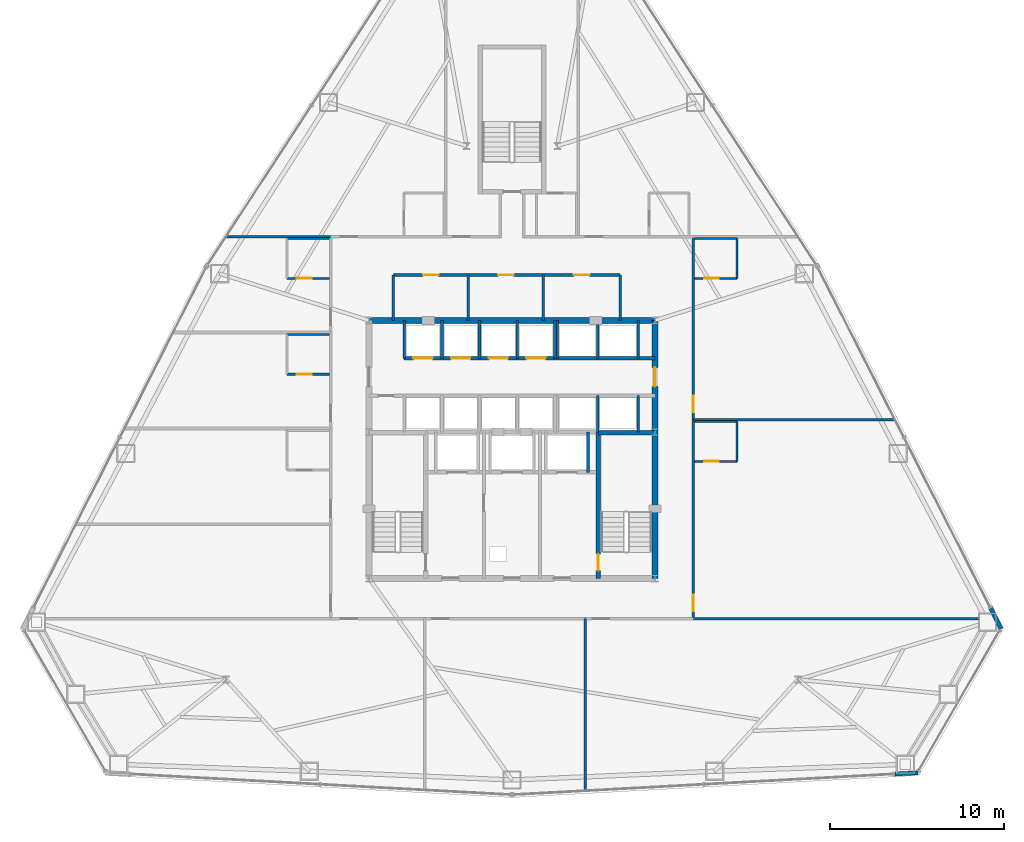
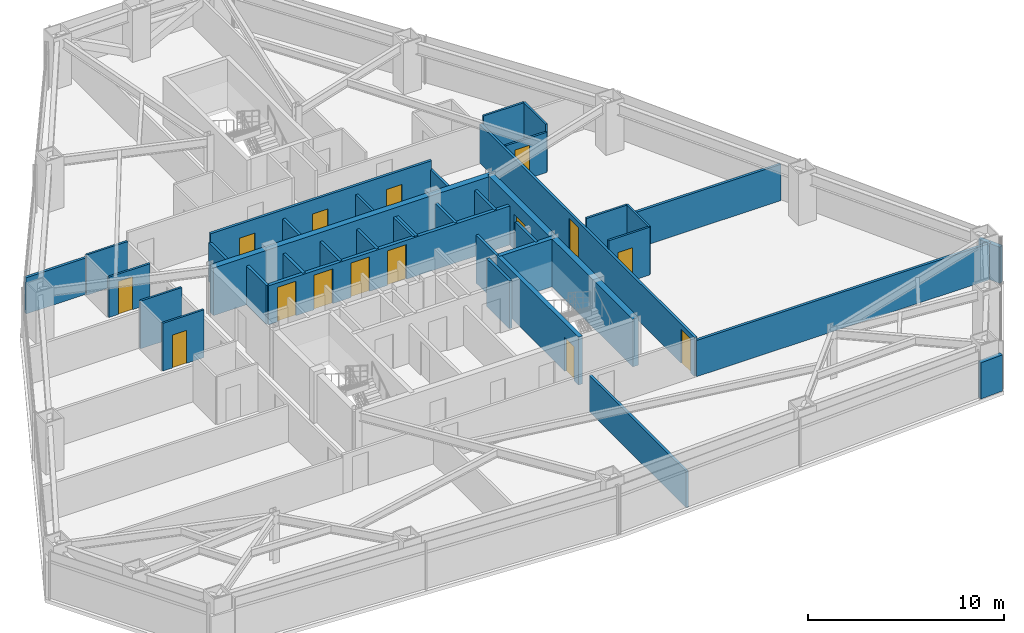
# One storey, part 10 of 12: 38 walls, 15 doors, 15 openings.
"""IFC4 building model written with IfcOpenShell, lengths in metres."""

from ifc_helpers import new_model, si_unit, direction, frame, frame_2d, origin, place, context, subcontext, project, spatial, rectangle, extrude, material, layer, layer_set, type_object, element, fill, save


model = new_model("IFC4")

# Units and contexts
model_context = context("Model", 3, precision=1e-05, world=origin(), true_north=direction((0.0, 1.0)))
body_context = subcontext(model_context, "Body", "Model", "MODEL_VIEW")
ifc_project = project(units=[si_unit("LENGTHUNIT", "METRE"), si_unit("AREAUNIT", "SQUARE_METRE"), si_unit("VOLUMEUNIT", "CUBIC_METRE"), si_unit("PLANEANGLEUNIT", "RADIAN"), si_unit("MASSUNIT", "GRAM", prefix="KILO")], contexts=[model_context])

# Site, building, storey
site_placement = place(None, origin())
site = spatial("IfcSite", under=ifc_project, at=site_placement, CompositionType="ELEMENT")
building_placement = place(site_placement, origin())
building = spatial("IfcBuilding", under=site, at=building_placement, Name="Varakhsha Concourse Tower", CompositionType="ELEMENT")
storey_placement = place(building_placement, frame((0.0, 0.0, 76.60009765625)))
storey = spatial("IfcBuildingStorey", under=building, at=storey_placement, Name="L21", CompositionType="ELEMENT", Elevation=76.60009765625)

# Wall
ifc_material_1 = material(Name="Concrete fc 65 MPa", Category="concrete")
ifc_layer_1 = layer(ifc_material_1, 0.35009765625, Name="WL-CORE-350")
ifc_layer_set_1 = layer_set([ifc_layer_1], Name="Concrete fc 65 MPa")
wall_type_1 = type_object("IfcWallType", Name="WL-CORE-350", PredefinedType="SHEAR", material=ifc_layer_set_1)
wall_1_placement = place(storey_placement, frame((31.800048828125, 31.199951171875, 0.0), z_axis=(0.0, 0.0, 1.0), x_axis=(1.0, 0.0, 0.0)))
element("IfcWall", 1, at=wall_1_placement, inside=storey, type_object=wall_type_1, Name="L21 Wall CWALL-N-L21", PredefinedType="SHEAR", context=body_context, shape_type="SweptSolid", body=[
    extrude(rectangle(XDim=16.39990234375, YDim=0.35009765625, at=frame_2d((8.199951171875, 0.0))), origin(), (0.0, 0.0, 1.0), 2.969970703125),
])

# Wall, opening, door
wall_2_placement = place(storey_placement, frame((48.199951171875, 16.39990234375, 0.0), z_axis=(0.0, 0.0, 1.0), x_axis=(0.0, 1.0, 0.0)))
wall_2 = element("IfcWall", 2, at=wall_2_placement, inside=storey, type_object=wall_type_1, Name="L21 Wall CWALL-E-L21", PredefinedType="SHEAR", context=body_context, shape_type="SweptSolid", body=[
    extrude(rectangle(XDim=14.800048828125, YDim=0.35009765625, at=frame_2d((7.39990234375, 0.0))), origin(), (0.0, 0.0, 1.0), 2.969970703125),
])
opening_1_placement = place(wall_2_placement, frame((11.0, 0.0, 0.0)))
opening_1 = element("IfcOpeningElement", 3, at=opening_1_placement, cuts=wall_2, Name="Opening DL-01", PredefinedType="OPENING", context=body_context, shape_type="SweptSolid", body=[
    extrude(rectangle(XDim=1.10009765625, YDim=2.14990234375, at=frame_2d((0.550048828125, 1.074951171875))), frame((0.0, 0.18505859375, 0.0), z_axis=(0.0, -1.0, 0.0), x_axis=(1.0, 0.0, 0.0)), (0.0, 0.0, 1.0), 0.3701171875),
])
ifc_material_2 = material(Name="Anodised Bronze Architectural Aluminium AA 6063-T6", Category="aluminium")
door_type_1 = type_object("IfcDoorType", Name="DR-LOB-1100", OperationType="NOTDEFINED", PredefinedType="DOOR", material=ifc_material_2)
door_1_placement = place(opening_1_placement, origin())
door_1 = element("IfcDoor", 4, at=door_1_placement, inside=storey, type_object=door_type_1, Name="L21 Lift Lobby East Concourse Door", OperationType="SINGLE_SWING_RIGHT", OverallHeight=2.14990234375, OverallWidth=1.10009765625, PredefinedType="DOOR", context=body_context, shape_type="SweptSolid", body=[
    extrude(rectangle(XDim=1.10009765625, YDim=2.14990234375, at=frame_2d((0.550048828125, 1.074951171875))), frame((0.0, 0.02490234375, 0.0), z_axis=(0.0, -1.0, 0.0), x_axis=(1.0, 0.0, 0.0)), (0.0, 0.0, 1.0), 0.050048828125),
])
fill(opening_1, door_1)

# Walls
ifc_material_3 = material(Name="Concrete fc 45 MPa", Category="concrete")
ifc_layer_2 = layer(ifc_material_3, 0.239990234375, Name="WL-EXT-CRN-240")
ifc_layer_set_2 = layer_set([ifc_layer_2], Name="Concrete fc 45 MPa")
wall_type_2 = type_object("IfcWallType", Name="WL-EXT-CRN-240", PredefinedType="SHEAR", material=ifc_layer_set_2)
wall_3_placement = place(storey_placement, frame((61.9501953125, 5.184814453125, 0.0), z_axis=(0.0, 0.0, 1.0), x_axis=(0.998531751411, 0.054169561778, 0.0)))
element("IfcWall", 5, at=wall_3_placement, inside=storey, type_object=wall_type_2, Name="L21 Wind-Corner Shoulder Wall F6", PredefinedType="SHEAR", context=body_context, shape_type="SweptSolid", body=[
    extrude(rectangle(XDim=1.320556640625, YDim=0.239990234375, at=frame_2d((0.66015625, 0.0))), origin(), (0.0, 0.0, 1.0), 2.2529296875),
])
wall_4_placement = place(storey_placement, frame((68.03955078125, 13.521484375, 0.0), z_axis=(0.0, 0.0, 1.0), x_axis=(-0.452239623624, 0.891896475396, 0.0)))
element("IfcWall", 6, at=wall_4_placement, inside=storey, type_object=wall_type_2, Name="L21 Wind-Corner Shoulder Wall F8", PredefinedType="SHEAR", context=body_context, shape_type="SweptSolid", body=[
    extrude(rectangle(XDim=1.3193359375, YDim=0.239990234375, at=frame_2d((0.65966796875, 0.0))), origin(), (0.0, 0.0, 1.0), 2.2529296875),
])

# Wall, opening, door
ifc_material_4 = material(Name="Acoustic Gypsum Board Partition Assembly", Category="gypsum")
ifc_layer_3 = layer(ifc_material_4, 0.1201171875, Name="WL-PART-120")
ifc_layer_set_3 = layer_set([ifc_layer_3], Name="Acoustic Gypsum Board Partition Assembly")
wall_type_3 = type_object("IfcWallType", Name="WL-PART-120", PredefinedType="PARTITIONING", material=ifc_layer_set_3)
wall_5_placement = place(storey_placement, frame((27.110107421875, 28.110107421875, 0.0), z_axis=(0.0, 0.0, 1.0), x_axis=(1.0, 0.0, 0.0)))
wall_5 = element("IfcWall", 7, at=wall_5_placement, inside=storey, type_object=wall_type_3, Name="L21 Wall ENSW-S-L21-H06", PredefinedType="PARTITIONING", context=body_context, shape_type="SweptSolid", body=[
    extrude(rectangle(XDim=2.429931640625, YDim=0.1201171875, at=frame_2d((1.21484375, 0.0))), origin(), (0.0, 0.0, 1.0), 2.969970703125),
])
opening_2_placement = place(wall_5_placement, frame((0.550048828125, 0.0, 0.0)))
opening_2 = element("IfcOpeningElement", 8, at=opening_2_placement, cuts=wall_5, Name="Opening DI-01", PredefinedType="OPENING", context=body_context, shape_type="SweptSolid", body=[
    extrude(rectangle(XDim=0.85009765625, YDim=2.050048828125, at=frame_2d((0.425048828125, 1.02490234375))), frame((0.0, 0.070068359375, 0.0), z_axis=(0.0, -1.0, 0.0), x_axis=(1.0, 0.0, 0.0)), (0.0, 0.0, 1.0), 0.14013671875),
])
ifc_material_5 = material(Name="Architectural Walnut Acoustic Timber Door", Category="wood")
door_type_2 = type_object("IfcDoorType", Name="DR-INT-850", OperationType="NOTDEFINED", PredefinedType="DOOR", material=ifc_material_5)
door_2_placement = place(opening_2_placement, origin())
door_2 = element("IfcDoor", 9, at=door_2_placement, inside=storey, type_object=door_type_2, Name="L21 En-suite Bathroom Door L21-H06", OperationType="SINGLE_SWING_RIGHT", OverallHeight=2.050048828125, OverallWidth=0.85009765625, PredefinedType="DOOR", context=body_context, shape_type="SweptSolid", body=[
    extrude(rectangle(XDim=0.85009765625, YDim=2.050048828125, at=frame_2d((0.425048828125, 1.02490234375))), frame((0.0, 0.02490234375, 0.0), z_axis=(0.0, -1.0, 0.0), x_axis=(1.0, 0.0, 0.0)), (0.0, 0.0, 1.0), 0.050048828125),
])
fill(opening_2, door_2)

# Wall
wall_6_placement = place(storey_placement, frame((27.110107421875, 30.389892578125, 0.0), z_axis=(0.0, 0.0, 1.0), x_axis=(1.0, 0.0, 0.0)))
element("IfcWall", 10, at=wall_6_placement, inside=storey, type_object=wall_type_3, Name="L21 Wall ENSW-N-L21-H06", PredefinedType="PARTITIONING", context=body_context, shape_type="SweptSolid", body=[
    extrude(rectangle(XDim=2.429931640625, YDim=0.1201171875, at=frame_2d((1.21484375, 0.0))), origin(), (0.0, 0.0, 1.0), 2.969970703125),
])

# Wall, opening, door
wall_7_placement = place(storey_placement, frame((27.110107421875, 33.610107421875, 0.0), z_axis=(0.0, 0.0, 1.0), x_axis=(1.0, 0.0, 0.0)))
wall_7 = element("IfcWall", 11, at=wall_7_placement, inside=storey, type_object=wall_type_3, Name="L21 Wall ENSW-S-L21-H07", PredefinedType="PARTITIONING", context=body_context, shape_type="SweptSolid", body=[
    extrude(rectangle(XDim=2.429931640625, YDim=0.1201171875, at=frame_2d((1.21484375, 0.0))), origin(), (0.0, 0.0, 1.0), 2.5029296875),
])
opening_3_placement = place(wall_7_placement, frame((0.550048828125, 0.0, 0.0)))
opening_3 = element("IfcOpeningElement", 12, at=opening_3_placement, cuts=wall_7, Name="Opening DI-01", PredefinedType="OPENING", context=body_context, shape_type="SweptSolid", body=[
    extrude(rectangle(XDim=0.85009765625, YDim=2.050048828125, at=frame_2d((0.425048828125, 1.02490234375))), frame((0.0, 0.070068359375, 0.0), z_axis=(0.0, -1.0, 0.0), x_axis=(1.0, 0.0, 0.0)), (0.0, 0.0, 1.0), 0.14013671875),
])
door_3_placement = place(opening_3_placement, origin())
door_3 = element("IfcDoor", 13, at=door_3_placement, inside=storey, type_object=door_type_2, Name="L21 En-suite Bathroom Door L21-H07", OperationType="SINGLE_SWING_RIGHT", OverallHeight=2.050048828125, OverallWidth=0.85009765625, PredefinedType="DOOR", context=body_context, shape_type="SweptSolid", body=[
    extrude(rectangle(XDim=0.85009765625, YDim=2.050048828125, at=frame_2d((0.425048828125, 1.02490234375))), frame((0.0, 0.02490234375, 0.0), z_axis=(0.0, -1.0, 0.0), x_axis=(1.0, 0.0, 0.0)), (0.0, 0.0, 1.0), 0.050048828125),
])
fill(opening_3, door_3)

# Walls
wall_8_placement = place(storey_placement, frame((27.110107421875, 35.889892578125, 0.0), z_axis=(0.0, 0.0, 1.0), x_axis=(1.0, 0.0, 0.0)))
element("IfcWall", 14, at=wall_8_placement, inside=storey, type_object=wall_type_3, Name="L21 Wall ENSW-N-L21-H07", PredefinedType="PARTITIONING", context=body_context, shape_type="SweptSolid", body=[
    extrude(rectangle(XDim=2.429931640625, YDim=0.1201171875, at=frame_2d((1.21484375, 0.0))), origin(), (0.0, 0.0, 1.0), 2.5029296875),
])
wall_9_placement = place(storey_placement, frame((52.889892578125, 23.110107421875, 0.0), z_axis=(0.0, 0.0, 1.0), x_axis=(0.0, 1.0, 0.0)))
element("IfcWall", 15, at=wall_9_placement, inside=storey, type_object=wall_type_3, Name="L21 Wall ENSW-E-L21-H08", PredefinedType="PARTITIONING", context=body_context, shape_type="SweptSolid", body=[
    extrude(rectangle(XDim=2.27978515625, YDim=0.1201171875, at=frame_2d((1.139892578125, 0.0))), origin(), (0.0, 0.0, 1.0), 2.969970703125),
])

# Wall, opening, door
wall_10_placement = place(storey_placement, frame((50.4599609375, 23.110107421875, 0.0), z_axis=(0.0, 0.0, 1.0), x_axis=(1.0, 0.0, 0.0)))
wall_10 = element("IfcWall", 16, at=wall_10_placement, inside=storey, type_object=wall_type_3, Name="L21 Wall ENSW-S-L21-H08", PredefinedType="PARTITIONING", context=body_context, shape_type="SweptSolid", body=[
    extrude(rectangle(XDim=2.429931640625, YDim=0.1201171875, at=frame_2d((1.21484375, 0.0))), origin(), (0.0, 0.0, 1.0), 2.969970703125),
])
opening_4_placement = place(wall_10_placement, frame((0.550048828125, 0.0, 0.0)))
opening_4 = element("IfcOpeningElement", 17, at=opening_4_placement, cuts=wall_10, Name="Opening DI-01", PredefinedType="OPENING", context=body_context, shape_type="SweptSolid", body=[
    extrude(rectangle(XDim=0.85009765625, YDim=2.050048828125, at=frame_2d((0.425048828125, 1.02490234375))), frame((0.0, 0.070068359375, 0.0), z_axis=(0.0, -1.0, 0.0), x_axis=(1.0, 0.0, 0.0)), (0.0, 0.0, 1.0), 0.14013671875),
])
door_4_placement = place(opening_4_placement, origin())
door_4 = element("IfcDoor", 18, at=door_4_placement, inside=storey, type_object=door_type_2, Name="L21 En-suite Bathroom Door L21-H08", OperationType="SINGLE_SWING_RIGHT", OverallHeight=2.050048828125, OverallWidth=0.85009765625, PredefinedType="DOOR", context=body_context, shape_type="SweptSolid", body=[
    extrude(rectangle(XDim=0.85009765625, YDim=2.050048828125, at=frame_2d((0.425048828125, 1.02490234375))), frame((0.0, 0.02490234375, 0.0), z_axis=(0.0, -1.0, 0.0), x_axis=(1.0, 0.0, 0.0)), (0.0, 0.0, 1.0), 0.050048828125),
])
fill(opening_4, door_4)

# Walls
wall_11_placement = place(storey_placement, frame((50.4599609375, 25.389892578125, 0.0), z_axis=(0.0, 0.0, 1.0), x_axis=(1.0, 0.0, 0.0)))
element("IfcWall", 19, at=wall_11_placement, inside=storey, type_object=wall_type_3, Name="L21 Wall ENSW-N-L21-H08", PredefinedType="PARTITIONING", context=body_context, shape_type="SweptSolid", body=[
    extrude(rectangle(XDim=2.429931640625, YDim=0.1201171875, at=frame_2d((1.21484375, 0.0))), origin(), (0.0, 0.0, 1.0), 2.969970703125),
])
wall_12_placement = place(storey_placement, frame((52.889892578125, 33.610107421875, 0.0), z_axis=(0.0, 0.0, 1.0), x_axis=(0.0, 1.0, 0.0)))
element("IfcWall", 20, at=wall_12_placement, inside=storey, type_object=wall_type_3, Name="L21 Wall ENSW-E-L21-H09", PredefinedType="PARTITIONING", context=body_context, shape_type="SweptSolid", body=[
    extrude(rectangle(XDim=2.27978515625, YDim=0.1201171875, at=frame_2d((1.139892578125, 0.0))), origin(), (0.0, 0.0, 1.0), 2.969970703125),
])

# Wall, opening, door
wall_13_placement = place(storey_placement, frame((50.4599609375, 33.610107421875, 0.0), z_axis=(0.0, 0.0, 1.0), x_axis=(1.0, 0.0, 0.0)))
wall_13 = element("IfcWall", 21, at=wall_13_placement, inside=storey, type_object=wall_type_3, Name="L21 Wall ENSW-S-L21-H09", PredefinedType="PARTITIONING", context=body_context, shape_type="SweptSolid", body=[
    extrude(rectangle(XDim=2.429931640625, YDim=0.1201171875, at=frame_2d((1.21484375, 0.0))), origin(), (0.0, 0.0, 1.0), 2.5029296875),
])
opening_5_placement = place(wall_13_placement, frame((0.550048828125, 0.0, 0.0)))
opening_5 = element("IfcOpeningElement", 22, at=opening_5_placement, cuts=wall_13, Name="Opening DI-01", PredefinedType="OPENING", context=body_context, shape_type="SweptSolid", body=[
    extrude(rectangle(XDim=0.85009765625, YDim=2.050048828125, at=frame_2d((0.425048828125, 1.02490234375))), frame((0.0, 0.070068359375, 0.0), z_axis=(0.0, -1.0, 0.0), x_axis=(1.0, 0.0, 0.0)), (0.0, 0.0, 1.0), 0.14013671875),
])
door_5_placement = place(opening_5_placement, origin())
door_5 = element("IfcDoor", 23, at=door_5_placement, inside=storey, type_object=door_type_2, Name="L21 En-suite Bathroom Door L21-H09", OperationType="SINGLE_SWING_RIGHT", OverallHeight=2.050048828125, OverallWidth=0.85009765625, PredefinedType="DOOR", context=body_context, shape_type="SweptSolid", body=[
    extrude(rectangle(XDim=0.85009765625, YDim=2.050048828125, at=frame_2d((0.425048828125, 1.02490234375))), frame((0.0, 0.02490234375, 0.0), z_axis=(0.0, -1.0, 0.0), x_axis=(1.0, 0.0, 0.0)), (0.0, 0.0, 1.0), 0.050048828125),
])
fill(opening_5, door_5)

# Wall
wall_14_placement = place(storey_placement, frame((50.4599609375, 35.889892578125, 0.0), z_axis=(0.0, 0.0, 1.0), x_axis=(1.0, 0.0, 0.0)))
element("IfcWall", 24, at=wall_14_placement, inside=storey, type_object=wall_type_3, Name="L21 Wall ENSW-N-L21-H09", PredefinedType="PARTITIONING", context=body_context, shape_type="SweptSolid", body=[
    extrude(rectangle(XDim=2.429931640625, YDim=0.1201171875, at=frame_2d((1.21484375, 0.0))), origin(), (0.0, 0.0, 1.0), 2.969970703125),
])

# Wall, openings, doors
ifc_material_6 = material(Name="Fire-Rated Type X Gypsum Partition Assembly", Category="gypsum")
ifc_layer_4 = layer(ifc_material_6, 0.14990234375, Name="WL-PART-150")
ifc_layer_set_4 = layer_set([ifc_layer_4], Name="Fire-Rated Type X Gypsum Partition Assembly")
wall_type_4 = type_object("IfcWallType", Name="WL-PART-150", PredefinedType="PARTITIONING", material=ifc_layer_set_4)
wall_15_placement = place(storey_placement, frame((33.199951171875, 33.800048828125, 0.0), z_axis=(0.0, 0.0, 1.0), x_axis=(1.0, 0.0, 0.0)))
wall_15 = element("IfcWall", 25, at=wall_15_placement, inside=storey, type_object=wall_type_4, Name="L21 Wall NBOH-N-L21", PredefinedType="PARTITIONING", context=body_context, shape_type="SweptSolid", body=[
    extrude(rectangle(XDim=13.0, YDim=0.14990234375, at=frame_2d((6.5, 0.0))), origin(), (0.0, 0.0, 1.0), 2.969970703125),
])
opening_6_placement = place(wall_15_placement, frame((1.699951171875, 0.0, 0.0)))
opening_6 = element("IfcOpeningElement", 26, at=opening_6_placement, cuts=wall_15, Name="Opening DF-06", PredefinedType="OPENING", context=body_context, shape_type="SweptSolid", body=[
    extrude(rectangle(XDim=0.89990234375, YDim=2.10009765625, at=frame_2d((0.449951171875, 1.050048828125))), frame((0.0, 0.0849609375, 0.0), z_axis=(0.0, -1.0, 0.0), x_axis=(1.0, 0.0, 0.0)), (0.0, 0.0, 1.0), 0.169921875),
])
opening_7_placement = place(wall_15_placement, frame((6.0, 0.0, 0.0)))
opening_7 = element("IfcOpeningElement", 27, at=opening_7_placement, cuts=wall_15, Name="Opening DF-06", PredefinedType="OPENING", context=body_context, shape_type="SweptSolid", body=[
    extrude(rectangle(XDim=0.89990234375, YDim=2.10009765625, at=frame_2d((0.449951171875, 1.050048828125))), frame((0.0, 0.0849609375, 0.0), z_axis=(0.0, -1.0, 0.0), x_axis=(1.0, 0.0, 0.0)), (0.0, 0.0, 1.0), 0.169921875),
])
opening_8_placement = place(wall_15_placement, frame((10.35009765625, 0.0, 0.0)))
opening_8 = element("IfcOpeningElement", 28, at=opening_8_placement, cuts=wall_15, Name="Opening DF-06", PredefinedType="OPENING", context=body_context, shape_type="SweptSolid", body=[
    extrude(rectangle(XDim=0.89990234375, YDim=2.10009765625, at=frame_2d((0.449951171875, 1.050048828125))), frame((0.0, 0.0849609375, 0.0), z_axis=(0.0, -1.0, 0.0), x_axis=(1.0, 0.0, 0.0)), (0.0, 0.0, 1.0), 0.169921875),
])
ifc_material_7 = material(Name="Hollow Galvanised Steel Fire Door Assembly", Category="steel")
door_type_3 = type_object("IfcDoorType", Name="DR-FD60-900", OperationType="NOTDEFINED", PredefinedType="DOOR", material=ifc_material_7)
door_6_placement = place(opening_6_placement, origin())
door_6 = element("IfcDoor", 29, at=door_6_placement, inside=storey, type_object=door_type_3, Name="L21 Housekeeping and Linen Room Door", OperationType="SINGLE_SWING_LEFT", OverallHeight=2.10009765625, OverallWidth=0.89990234375, PredefinedType="DOOR", context=body_context, shape_type="SweptSolid", body=[
    extrude(rectangle(XDim=0.89990234375, YDim=2.10009765625, at=frame_2d((0.449951171875, 1.050048828125))), frame((0.0, 0.02490234375, 0.0), z_axis=(0.0, -1.0, 0.0), x_axis=(1.0, 0.0, 0.0)), (0.0, 0.0, 1.0), 0.050048828125),
])
fill(opening_6, door_6)
door_7_placement = place(opening_7_placement, origin())
door_7 = element("IfcDoor", 30, at=door_7_placement, inside=storey, type_object=door_type_3, Name="L21 Accessible WC Door", OperationType="SINGLE_SWING_RIGHT", OverallHeight=2.10009765625, OverallWidth=0.89990234375, PredefinedType="DOOR", context=body_context, shape_type="SweptSolid", body=[
    extrude(rectangle(XDim=0.89990234375, YDim=2.10009765625, at=frame_2d((0.449951171875, 1.050048828125))), frame((0.0, 0.02490234375, 0.0), z_axis=(0.0, -1.0, 0.0), x_axis=(1.0, 0.0, 0.0)), (0.0, 0.0, 1.0), 0.050048828125),
])
fill(opening_7, door_7)
door_8_placement = place(opening_8_placement, origin())
door_8 = element("IfcDoor", 31, at=door_8_placement, inside=storey, type_object=door_type_3, Name="L21 Staff Restroom WC Door", OperationType="SINGLE_SWING_LEFT", OverallHeight=2.10009765625, OverallWidth=0.89990234375, PredefinedType="DOOR", context=body_context, shape_type="SweptSolid", body=[
    extrude(rectangle(XDim=0.89990234375, YDim=2.10009765625, at=frame_2d((0.449951171875, 1.050048828125))), frame((0.0, 0.02490234375, 0.0), z_axis=(0.0, -1.0, 0.0), x_axis=(1.0, 0.0, 0.0)), (0.0, 0.0, 1.0), 0.050048828125),
])
fill(opening_8, door_8)

# Walls
for number, where, z_axis, x_axis, name in (
    (32, (33.199951171875, 31.199951171875, 0.0), (0.0, 0.0, 1.0), (0.0, 1.0, 0.0), "L21 Wall NBOH-W-L21"),
    (33, (46.199951171875, 31.199951171875, 0.0), (0.0, 0.0, 1.0), (0.0, 1.0, 0.0), "L21 Wall NBOH-E-L21"),
    (34, (37.5, 31.199951171875, 0.0), (0.0, 0.0, 1.0), (0.0, 1.0, 0.0), "L21 Wall NBOH-D1-L21"),
    (35, (41.800048828125, 31.199951171875, 0.0), (0.0, 0.0, 1.0), (0.0, 1.0, 0.0), "L21 Wall NBOH-D2-L21"),
):
    element("IfcWall", number, at=place(storey_placement, frame(where, z_axis=z_axis, x_axis=x_axis)), inside=storey, type_object=wall_type_4, Name=name, PredefinedType="PARTITIONING", context=body_context, shape_type="SweptSolid", body=[
        extrude(rectangle(XDim=2.60009765625, YDim=0.14990234375, at=frame_2d((1.300048828125, 0.0))), origin(), (0.0, 0.0, 1.0), 2.4208984375),
    ])

# Wall, openings, doors
wall_16_placement = place(storey_placement, frame((50.39990234375, 14.10009765625, 0.0), z_axis=(0.0, 0.0, 1.0), x_axis=(0.0, 1.0, 0.0)))
wall_16 = element("IfcWall", 36, at=wall_16_placement, inside=storey, type_object=wall_type_4, Name="L21 Wall CRW-E-L21", PredefinedType="PARTITIONING", context=body_context, shape_type="SweptSolid", body=[
    extrude(rectangle(XDim=21.89990234375, YDim=0.14990234375, at=frame_2d((10.949951171875, 0.0))), origin(), (0.0, 0.0, 1.0), 2.4208984375),
])
opening_9_placement = place(wall_16_placement, frame((0.419921875, 0.0, 0.0)))
opening_9 = element("IfcOpeningElement", 37, at=opening_9_placement, cuts=wall_16, Name="Opening DF-05", PredefinedType="OPENING", context=body_context, shape_type="SweptSolid", body=[
    extrude(rectangle(XDim=0.949951171875, YDim=2.10009765625, at=frame_2d((0.47509765625, 1.050048828125))), frame((0.0, 0.0849609375, 0.0), z_axis=(0.0, -1.0, 0.0), x_axis=(1.0, 0.0, 0.0)), (0.0, 0.0, 1.0), 0.169921875),
])
opening_10_placement = place(wall_16_placement, frame((11.820068359375, 0.0, 0.0)))
opening_10 = element("IfcOpeningElement", 38, at=opening_10_placement, cuts=wall_16, Name="Opening DF-05", PredefinedType="OPENING", context=body_context, shape_type="SweptSolid", body=[
    extrude(rectangle(XDim=0.949951171875, YDim=2.10009765625, at=frame_2d((0.47509765625, 1.050048828125))), frame((0.0, 0.0849609375, 0.0), z_axis=(0.0, -1.0, 0.0), x_axis=(1.0, 0.0, 0.0)), (0.0, 0.0, 1.0), 0.169921875),
])
door_type_4 = type_object("IfcDoorType", Name="DR-FD60-950", OperationType="NOTDEFINED", PredefinedType="DOOR", material=ifc_material_7)
door_9_placement = place(opening_9_placement, origin())
door_9 = element("IfcDoor", 39, at=door_9_placement, inside=storey, type_object=door_type_4, Name="L21 Hotel Corner Suite L21-H08 Entry Door", OperationType="SINGLE_SWING_RIGHT", OverallHeight=2.10009765625, OverallWidth=0.949951171875, PredefinedType="DOOR", context=body_context, shape_type="SweptSolid", body=[
    extrude(rectangle(XDim=0.949951171875, YDim=2.10009765625, at=frame_2d((0.47509765625, 1.050048828125))), frame((0.0, 0.02490234375, 0.0), z_axis=(0.0, -1.0, 0.0), x_axis=(1.0, 0.0, 0.0)), (0.0, 0.0, 1.0), 0.050048828125),
])
fill(opening_9, door_9)
door_10_placement = place(opening_10_placement, origin())
door_10 = element("IfcDoor", 40, at=door_10_placement, inside=storey, type_object=door_type_4, Name="L21 Hotel Corner Suite L21-H09 Entry Door", OperationType="SINGLE_SWING_LEFT", OverallHeight=2.10009765625, OverallWidth=0.949951171875, PredefinedType="DOOR", context=body_context, shape_type="SweptSolid", body=[
    extrude(rectangle(XDim=0.949951171875, YDim=2.10009765625, at=frame_2d((0.47509765625, 1.050048828125))), frame((0.0, 0.02490234375, 0.0), z_axis=(0.0, -1.0, 0.0), x_axis=(1.0, 0.0, 0.0)), (0.0, 0.0, 1.0), 0.050048828125),
])
fill(opening_10, door_10)

# Walls
wall_17_placement = place(storey_placement, frame((44.199951171875, 4.225341796875, 0.0), z_axis=(0.0, 0.0, 1.0), x_axis=(0.0, 1.0, 0.0)))
element("IfcWall", 41, at=wall_17_placement, inside=storey, type_object=wall_type_4, Name="L21 Wall HDIV-S2-L21", PredefinedType="PARTITIONING", context=body_context, shape_type="SweptSolid", body=[
    extrude(rectangle(XDim=9.874755859375, YDim=0.14990234375, at=frame_2d((4.9375, 0.0))), origin(), (0.0, 0.0, 1.0), 2.2578125),
])
wall_18_placement = place(storey_placement, frame((23.611328125, 36.0, 0.0), z_axis=(0.0, 0.0, 1.0), x_axis=(1.0, 0.0, 0.0)))
element("IfcWall", 42, at=wall_18_placement, inside=storey, type_object=wall_type_4, Name="L21 Wall HDIV-WBN-L21", PredefinedType="PARTITIONING", context=body_context, shape_type="SweptSolid", body=[
    extrude(rectangle(XDim=5.98876953125, YDim=0.14990234375, at=frame_2d((2.994384765625, 0.0))), origin(), (0.0, 0.0, 1.0), 2.2578125),
])
wall_19_placement = place(storey_placement, frame((50.39990234375, 14.10009765625, 0.0), z_axis=(0.0, 0.0, 1.0), x_axis=(1.0, 0.0, 0.0)))
element("IfcWall", 43, at=wall_19_placement, inside=storey, type_object=wall_type_4, Name="L21 Wall HDIV-EB0-L21", PredefinedType="PARTITIONING", context=body_context, shape_type="SweptSolid", body=[
    extrude(rectangle(XDim=17.340576171875, YDim=0.14990234375, at=frame_2d((8.67041015625, 0.0))), origin(), (0.0, 0.0, 1.0), 2.2578125),
])
wall_20_placement = place(storey_placement, frame((50.39990234375, 25.5, 0.0), z_axis=(0.0, 0.0, 1.0), x_axis=(1.0, 0.0, 0.0)))
element("IfcWall", 44, at=wall_20_placement, inside=storey, type_object=wall_type_4, Name="L21 Wall HDIV-E1-L21", PredefinedType="PARTITIONING", context=body_context, shape_type="SweptSolid", body=[
    extrude(rectangle(XDim=11.5595703125, YDim=0.14990234375, at=frame_2d((5.77978515625, 0.0))), origin(), (0.0, 0.0, 1.0), 2.2578125),
])
ifc_layer_5 = layer(ifc_material_6, 0.199951171875, Name="WL-SHAFT-220")
ifc_layer_set_5 = layer_set([ifc_layer_5], Name="Fire-Rated Type X Gypsum Partition Assembly")
wall_type_5 = type_object("IfcWallType", Name="WL-SHAFT-220", PredefinedType="SOLIDWALL", material=ifc_layer_set_5)
wall_21_placement = place(storey_placement, frame((44.35009765625, 22.47998046875, 0.0), z_axis=(0.0, 0.0, 1.0), x_axis=(0.0, 1.0, 0.0)))
element("IfcWall", 45, at=wall_21_placement, inside=storey, type_object=wall_type_5, Name="L21 Wall SHW-FFL-2-E-L21", PredefinedType="SOLIDWALL", context=body_context, shape_type="SweptSolid", body=[
    extrude(rectangle(XDim=2.320068359375, YDim=0.159912109375, at=frame_2d((1.16015625, 0.0))), origin(), (0.0, 0.0, 1.0), 2.969970703125),
])

# Wall, openings, doors
wall_22_placement = place(storey_placement, frame((33.820068359375, 29.02001953125, 0.0), z_axis=(0.0, 0.0, 1.0), x_axis=(1.0, 0.0, 0.0)))
wall_22 = element("IfcWall", 46, at=wall_22_placement, inside=storey, type_object=wall_type_5, Name="L21 Wall PLW-N-L21", PredefinedType="SOLIDWALL", context=body_context, shape_type="SweptSolid", body=[
    extrude(rectangle(XDim=14.3798828125, YDim=0.199951171875, at=frame_2d((7.18994140625, 0.0))), origin(), (0.0, 0.0, 1.0), 2.4208984375),
])
opening_11_placement = place(wall_22_placement, frame((0.530029296875, 0.0, 0.0)))
opening_11 = element("IfcOpeningElement", 47, at=opening_11_placement, cuts=wall_22, Name="Opening LD-LF-P01", PredefinedType="OPENING", context=body_context, shape_type="SweptSolid", body=[
    extrude(rectangle(XDim=1.10009765625, YDim=2.14990234375, at=frame_2d((0.550048828125, 1.074951171875))), frame((0.0, 0.10986328125, 0.0), z_axis=(0.0, -1.0, 0.0), x_axis=(1.0, 0.0, 0.0)), (0.0, 0.0, 1.0), 0.219970703125),
])
opening_12_placement = place(wall_22_placement, frame((2.68994140625, 0.0, 0.0)))
opening_12 = element("IfcOpeningElement", 48, at=opening_12_placement, cuts=wall_22, Name="Opening LD-LF-P02", PredefinedType="OPENING", context=body_context, shape_type="SweptSolid", body=[
    extrude(rectangle(XDim=1.10009765625, YDim=2.14990234375, at=frame_2d((0.550048828125, 1.074951171875))), frame((0.0, 0.10986328125, 0.0), z_axis=(0.0, -1.0, 0.0), x_axis=(1.0, 0.0, 0.0)), (0.0, 0.0, 1.0), 0.219970703125),
])
opening_13_placement = place(wall_22_placement, frame((4.85009765625, 0.0, 0.0)))
opening_13 = element("IfcOpeningElement", 49, at=opening_13_placement, cuts=wall_22, Name="Opening LD-LF-P03", PredefinedType="OPENING", context=body_context, shape_type="SweptSolid", body=[
    extrude(rectangle(XDim=1.10009765625, YDim=2.14990234375, at=frame_2d((0.550048828125, 1.074951171875))), frame((0.0, 0.10986328125, 0.0), z_axis=(0.0, -1.0, 0.0), x_axis=(1.0, 0.0, 0.0)), (0.0, 0.0, 1.0), 0.219970703125),
])
opening_14_placement = place(wall_22_placement, frame((7.010009765625, 0.0, 0.0)))
opening_14 = element("IfcOpeningElement", 50, at=opening_14_placement, cuts=wall_22, Name="Opening LD-LF-P04", PredefinedType="OPENING", context=body_context, shape_type="SweptSolid", body=[
    extrude(rectangle(XDim=1.10009765625, YDim=2.14990234375, at=frame_2d((0.550048828125, 1.074951171875))), frame((0.0, 0.10986328125, 0.0), z_axis=(0.0, -1.0, 0.0), x_axis=(1.0, 0.0, 0.0)), (0.0, 0.0, 1.0), 0.219970703125),
])
ifc_material_8 = material(Name="Brushed Austenitic Stainless Steel AISI 316", Category="steel")
door_type_5 = type_object("IfcDoorType", Name="DR-LD-1100", OperationType="DOUBLE_DOOR_SLIDING", PredefinedType="DOOR", material=ifc_material_8)
door_11_placement = place(opening_11_placement, origin())
door_11 = element("IfcDoor", 51, at=door_11_placement, inside=storey, type_object=door_type_5, Name="Lift Landing Door LF-P01 L21", OperationType="DOUBLE_DOOR_SLIDING", OverallHeight=2.14990234375, OverallWidth=1.10009765625, PredefinedType="DOOR", context=body_context, shape_type="SweptSolid", body=[
    extrude(rectangle(XDim=1.10009765625, YDim=2.14990234375, at=frame_2d((0.550048828125, 1.074951171875))), frame((0.0, 0.02490234375, 0.0), z_axis=(0.0, -1.0, 0.0), x_axis=(1.0, 0.0, 0.0)), (0.0, 0.0, 1.0), 0.050048828125),
])
fill(opening_11, door_11)
door_12_placement = place(opening_12_placement, origin())
door_12 = element("IfcDoor", 52, at=door_12_placement, inside=storey, type_object=door_type_5, Name="Lift Landing Door LF-P02 L21", OperationType="DOUBLE_DOOR_SLIDING", OverallHeight=2.14990234375, OverallWidth=1.10009765625, PredefinedType="DOOR", context=body_context, shape_type="SweptSolid", body=[
    extrude(rectangle(XDim=1.10009765625, YDim=2.14990234375, at=frame_2d((0.550048828125, 1.074951171875))), frame((0.0, 0.02490234375, 0.0), z_axis=(0.0, -1.0, 0.0), x_axis=(1.0, 0.0, 0.0)), (0.0, 0.0, 1.0), 0.050048828125),
])
fill(opening_12, door_12)
door_13_placement = place(opening_13_placement, origin())
door_13 = element("IfcDoor", 53, at=door_13_placement, inside=storey, type_object=door_type_5, Name="Lift Landing Door LF-P03 L21", OperationType="DOUBLE_DOOR_SLIDING", OverallHeight=2.14990234375, OverallWidth=1.10009765625, PredefinedType="DOOR", context=body_context, shape_type="SweptSolid", body=[
    extrude(rectangle(XDim=1.10009765625, YDim=2.14990234375, at=frame_2d((0.550048828125, 1.074951171875))), frame((0.0, 0.02490234375, 0.0), z_axis=(0.0, -1.0, 0.0), x_axis=(1.0, 0.0, 0.0)), (0.0, 0.0, 1.0), 0.050048828125),
])
fill(opening_13, door_13)
door_14_placement = place(opening_14_placement, origin())
door_14 = element("IfcDoor", 54, at=door_14_placement, inside=storey, type_object=door_type_5, Name="Lift Landing Door LF-P04 L21", OperationType="DOUBLE_DOOR_SLIDING", OverallHeight=2.14990234375, OverallWidth=1.10009765625, PredefinedType="DOOR", context=body_context, shape_type="SweptSolid", body=[
    extrude(rectangle(XDim=1.10009765625, YDim=2.14990234375, at=frame_2d((0.550048828125, 1.074951171875))), frame((0.0, 0.02490234375, 0.0), z_axis=(0.0, -1.0, 0.0), x_axis=(1.0, 0.0, 0.0)), (0.0, 0.0, 1.0), 0.050048828125),
])
fill(opening_14, door_14)

# Walls
for number, where, z_axis, x_axis, name in (
    (55, (33.820068359375, 29.02001953125, 0.0), (0.0, 0.0, 1.0), (0.0, 1.0, 0.0), "L21 Wall WBOH-E1-L21"),
    (56, (35.97998046875, 29.02001953125, 0.0), (0.0, 0.0, 1.0), (0.0, 1.0, 0.0), "L21 Wall SHW-LF-P01-E-L21"),
    (57, (38.139892578125, 29.02001953125, 0.0), (0.0, 0.0, 1.0), (0.0, 1.0, 0.0), "L21 Wall SHW-LF-P02-E-L21"),
    (58, (40.300048828125, 29.02001953125, 0.0), (0.0, 0.0, 1.0), (0.0, 1.0, 0.0), "L21 Wall SHW-LF-P03-E-L21"),
    (59, (42.4599609375, 29.02001953125, 0.0), (0.0, 0.0, 1.0), (0.0, 1.0, 0.0), "L21 Wall SHW-LF-P04-E-L21"),
    (60, (42.60009765625, 29.02001953125, 0.0), (0.0, 0.0, 1.0), (0.0, 1.0, 0.0), "L21 Wall SHW-LF-P09-W-L21"),
    (61, (44.919921875, 29.02001953125, 0.0), (0.0, 0.0, 1.0), (0.0, 1.0, 0.0), "L21 Wall SHW-LF-P09-E-L21"),
    (62, (47.239990234375, 29.02001953125, 0.0), (0.0, 0.0, 1.0), (0.0, 1.0, 0.0), "L21 Wall SHW-LF-P10-E-L21"),
):
    element("IfcWall", number, at=place(storey_placement, frame(where, z_axis=z_axis, x_axis=x_axis)), inside=storey, type_object=wall_type_5, Name=name, PredefinedType="SOLIDWALL", context=body_context, shape_type="SweptSolid", body=[
        extrude(rectangle(XDim=2.179931640625, YDim=0.159912109375, at=frame_2d((1.08984375, 0.0))), origin(), (0.0, 0.0, 1.0), 2.4208984375),
    ])
for number, where, z_axis, x_axis, name in (
    (63, (44.919921875, 24.800048828125, 0.0), (0.0, 0.0, 1.0), (0.0, 1.0, 0.0), "L21 Wall SHW-LF-P11-E-L21"),
    (64, (47.239990234375, 24.800048828125, 0.0), (0.0, 0.0, 1.0), (0.0, 1.0, 0.0), "L21 Wall SHW-LF-P12-E-L21"),
):
    element("IfcWall", number, at=place(storey_placement, frame(where, z_axis=z_axis, x_axis=x_axis)), inside=storey, type_object=wall_type_5, Name=name, PredefinedType="SOLIDWALL", context=body_context, shape_type="SweptSolid", body=[
        extrude(rectangle(XDim=2.079833984375, YDim=0.159912109375, at=frame_2d((1.0400390625, 0.0))), origin(), (0.0, 0.0, 1.0), 2.969970703125),
    ])

# Wall, opening, door
ifc_layer_6 = layer(ifc_material_3, 0.25, Name="WL-STAIR-250")
ifc_layer_set_6 = layer_set([ifc_layer_6], Name="Concrete fc 45 MPa")
wall_type_6 = type_object("IfcWallType", Name="WL-STAIR-250", PredefinedType="SHEAR", material=ifc_layer_set_6)
wall_23_placement = place(storey_placement, frame((44.955078125, 16.39990234375, 0.0), z_axis=(0.0, 0.0, 1.0), x_axis=(0.0, 1.0, 0.0)))
wall_23 = element("IfcWall", 65, at=wall_23_placement, inside=storey, type_object=wall_type_6, Name="L21 Wall SWALL-ST2-W-L21", PredefinedType="SHEAR", context=body_context, shape_type="SweptSolid", body=[
    extrude(rectangle(XDim=8.400146484375, YDim=0.25, at=frame_2d((4.2001953125, 0.0))), origin(), (0.0, 0.0, 1.0), 2.969970703125),
])
opening_15_placement = place(wall_23_placement, frame((0.449951171875, 0.0, 0.0)))
opening_15 = element("IfcOpeningElement", 66, at=opening_15_placement, cuts=wall_23, Name="Opening DF-03", PredefinedType="OPENING", context=body_context, shape_type="SweptSolid", body=[
    extrude(rectangle(XDim=0.949951171875, YDim=2.10009765625, at=frame_2d((0.47509765625, 1.050048828125))), frame((0.0, 0.135009765625, 0.0), z_axis=(0.0, -1.0, 0.0), x_axis=(1.0, 0.0, 0.0)), (0.0, 0.0, 1.0), 0.27001953125),
])
door_type_6 = type_object("IfcDoorType", Name="DR-FD90-950", OperationType="NOTDEFINED", PredefinedType="DOOR", material=ifc_material_7)
door_15_placement = place(opening_15_placement, origin())
door_15 = element("IfcDoor", 67, at=door_15_placement, inside=storey, type_object=door_type_6, Name="L21 Stair ST2 Fire Door", OperationType="SINGLE_SWING_RIGHT", OverallHeight=2.10009765625, OverallWidth=0.949951171875, PredefinedType="DOOR", context=body_context, shape_type="SweptSolid", body=[
    extrude(rectangle(XDim=0.949951171875, YDim=2.10009765625, at=frame_2d((0.47509765625, 1.050048828125))), frame((0.0, 0.02490234375, 0.0), z_axis=(0.0, -1.0, 0.0), x_axis=(1.0, 0.0, 0.0)), (0.0, 0.0, 1.0), 0.050048828125),
])
fill(opening_15, door_15)

# Wall
wall_24_placement = place(storey_placement, frame((44.955078125, 24.7548828125, 0.0), z_axis=(0.0, 0.0, 1.0), x_axis=(1.0, 0.0, 0.0)))
element("IfcWall", 68, at=wall_24_placement, inside=storey, type_object=wall_type_6, Name="L21 Wall SWALL-ST2-N-L21", PredefinedType="SHEAR", context=body_context, shape_type="SweptSolid", body=[
    extrude(rectangle(XDim=3.244873046875, YDim=0.25, at=frame_2d((1.62255859375, 0.0))), origin(), (0.0, 0.0, 1.0), 2.969970703125),
])

save(model, "model.ifc")
